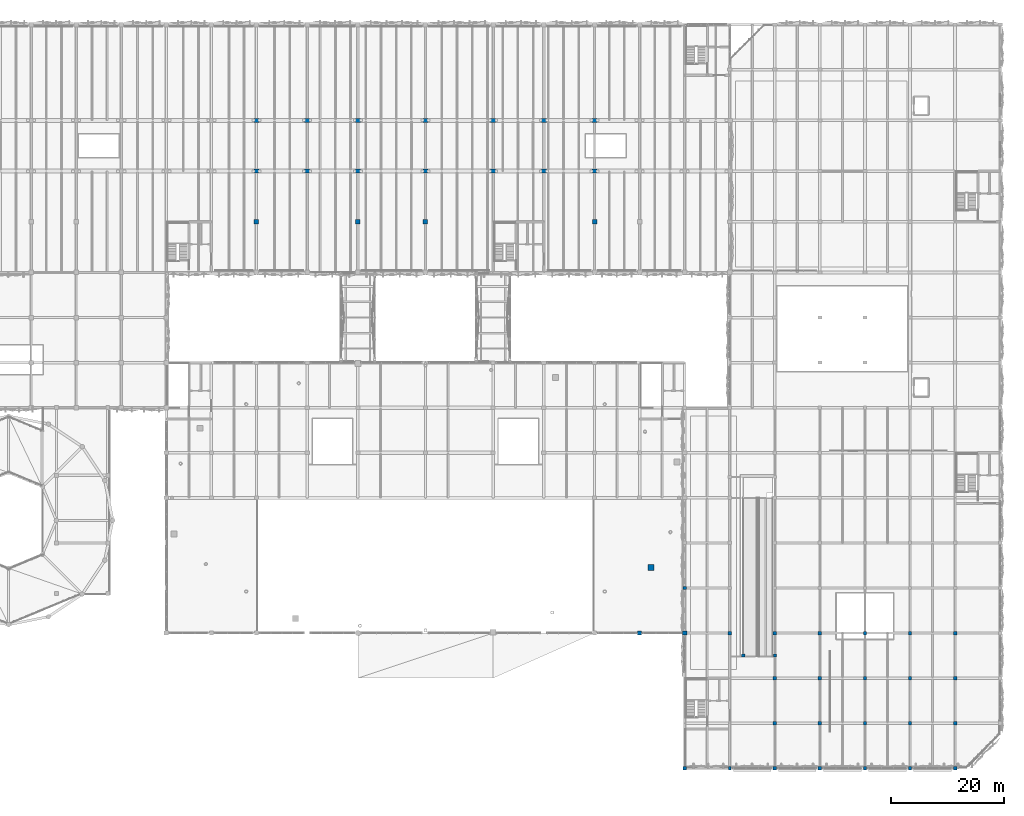
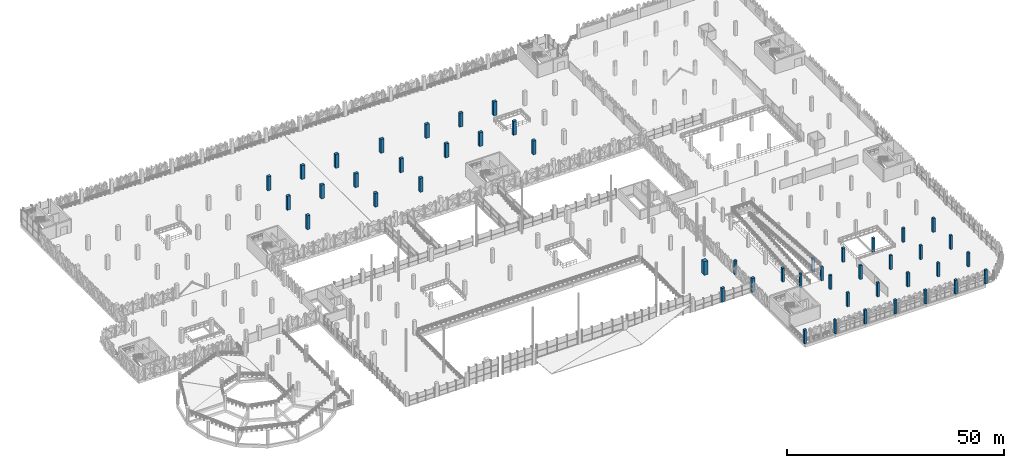
# One storey, part 12 of 123: 47 columns.
"""IFC4 building model written with IfcOpenShell, lengths in metres."""

from ifc_helpers import new_model, si_unit, derived_unit, direction, frame, origin, origin_2d, place, context, subcontext, project, spatial, rectangle, extrude, material, material_profile, profile_set, type_object, element, save


model = new_model("IFC4")

# Units and contexts
model_context = context("Model", 3, precision=1e-05, world=origin(), true_north=direction((0.0, 1.0)))
body_context = subcontext(model_context, "Body", "Model", "MODEL_VIEW")
ifc_project = project(units=[si_unit("LENGTHUNIT", "METRE"), si_unit("AREAUNIT", "SQUARE_METRE"), si_unit("VOLUMEUNIT", "CUBIC_METRE"), si_unit("PLANEANGLEUNIT", "RADIAN"), si_unit("MASSUNIT", "GRAM", prefix="KILO"), si_unit("THERMODYNAMICTEMPERATUREUNIT", "KELVIN"), derived_unit("THERMALTRANSMITTANCEUNIT", [(si_unit("POWERUNIT", "WATT"), 1), (si_unit("AREAUNIT", "SQUARE_METRE"), -1), (si_unit("THERMODYNAMICTEMPERATUREUNIT", "KELVIN"), -1)])], contexts=[model_context])

# Site, building, storey
site_placement = place(None, origin())
site = spatial("IfcSite", under=ifc_project, at=site_placement, CompositionType="ELEMENT")
building_placement = place(site_placement, origin())
building = spatial("IfcBuilding", under=site, at=building_placement, Name="Haiyu Intermodal Mobility Hub", CompositionType="ELEMENT")
storey_placement = place(building_placement, frame((0.0, 0.0, 5.60009765625)))
storey = spatial("IfcBuildingStorey", under=building, at=storey_placement, Name="L01", CompositionType="ELEMENT", Elevation=5.60009765625)

# Columns
ifc_material_1 = material(Name="Precast concrete C40", Category="concrete")
ifc_material_profile_1 = material_profile(ifc_material_1, rectangle(XDim=0.800048828125, YDim=0.800048828125, at=origin_2d()), Name="RC800x800")
ifc_profile_set_1 = profile_set([ifc_material_profile_1], Name="Precast concrete C40")
column_type_1 = type_object("IfcColumnType", Name="COL-CC02", PredefinedType="COLUMN", material=ifc_profile_set_1)
for number, where, z_axis, x_axis, name in (
    (1, (78.0, 113.0, 0.0), (0.0, 0.0, 1.0), (1.0, 0.0, 0.0), "Column V3S-9N L01"),
    (2, (96.0, 113.0, 0.0), (0.0, 0.0, 1.0), (1.0, 0.0, 0.0), "Column V3S-11N L01"),
    (3, (108.0, 113.0, 0.0), (0.0, 0.0, 1.0), (1.0, 0.0, 0.0), "Column V3S-12N L01"),
    (4, (138.0, 113.0, 0.0), (0.0, 0.0, 1.0), (1.0, 0.0, 0.0), "Column V3S-15N L01"),
):
    element("IfcColumn", number, at=place(storey_placement, frame(where, z_axis=z_axis, x_axis=x_axis)), inside=storey, type_object=column_type_1, Name=name, PredefinedType="COLUMN", context=body_context, shape_type="SweptSolid", body=[
        extrude(rectangle(XDim=0.800048828125, YDim=0.800048828125, at=origin_2d()), origin(), (0.0, 0.0, 1.0), 3.89990234375),
    ])
ifc_material_profile_2 = material_profile(ifc_material_1, rectangle(XDim=0.89990234375, YDim=0.699951171875, at=origin_2d()), Name="RC900x700")
ifc_profile_set_2 = profile_set([ifc_material_profile_2], Name="Precast concrete C40")
column_type_2 = type_object("IfcColumnType", Name="COL-CC04", PredefinedType="COLUMN", material=ifc_profile_set_2)
for number, where, z_axis, x_axis, name in (
    (5, (78.0, 122.0, 0.0), (0.0, 0.0, 1.0), (1.0, 0.0, 0.0), "Column V4-9P L01"),
    (6, (78.0, 131.0, 0.0), (0.0, 0.0, 1.0), (1.0, 0.0, 0.0), "Column V4-9Q L01"),
    (7, (87.0, 122.0, 0.0), (0.0, 0.0, 1.0), (1.0, 0.0, 0.0), "Column V4-10P L01"),
    (8, (87.0, 131.0, 0.0), (0.0, 0.0, 1.0), (1.0, 0.0, 0.0), "Column V4-10Q L01"),
    (9, (96.0, 122.0, 0.0), (0.0, 0.0, 1.0), (1.0, 0.0, 0.0), "Column V4-11P L01"),
    (10, (96.0, 131.0, 0.0), (0.0, 0.0, 1.0), (1.0, 0.0, 0.0), "Column V4-11Q L01"),
    (11, (108.0, 122.0, 0.0), (0.0, 0.0, 1.0), (1.0, 0.0, 0.0), "Column V4-12P L01"),
    (12, (108.0, 131.0, 0.0), (0.0, 0.0, 1.0), (1.0, 0.0, 0.0), "Column V4-12Q L01"),
    (13, (120.0, 122.0, 0.0), (0.0, 0.0, 1.0), (1.0, 0.0, 0.0), "Column V4-13P L01"),
    (14, (120.0, 131.0, 0.0), (0.0, 0.0, 1.0), (1.0, 0.0, 0.0), "Column V4-13Q L01"),
    (15, (129.0, 122.0, 0.0), (0.0, 0.0, 1.0), (1.0, 0.0, 0.0), "Column V4-14P L01"),
    (16, (129.0, 131.0, 0.0), (0.0, 0.0, 1.0), (1.0, 0.0, 0.0), "Column V4-14Q L01"),
    (17, (138.0, 122.0, 0.0), (0.0, 0.0, 1.0), (1.0, 0.0, 0.0), "Column V4-15P L01"),
    (18, (138.0, 131.0, 0.0), (0.0, 0.0, 1.0), (1.0, 0.0, 0.0), "Column V4-15Q L01"),
):
    element("IfcColumn", number, at=place(storey_placement, frame(where, z_axis=z_axis, x_axis=x_axis)), inside=storey, type_object=column_type_2, Name=name, PredefinedType="COLUMN", context=body_context, shape_type="SweptSolid", body=[
        extrude(rectangle(XDim=0.89990234375, YDim=0.699951171875, at=origin_2d()), origin(), (0.0, 0.0, 1.0), 3.89990234375),
    ])
ifc_material_2 = material(Name="Concrete C40", Category="concrete")
ifc_material_profile_3 = material_profile(ifc_material_2, rectangle(XDim=0.75, YDim=0.64990234375, at=origin_2d()), Name="RC750x650")
ifc_profile_set_3 = profile_set([ifc_material_profile_3], Name="Concrete C40")
column_type_3 = type_object("IfcColumnType", Name="COL-CC07-EXT", PredefinedType="COLUMN", material=ifc_profile_set_3)
for number, where, z_axis, x_axis, name in (
    (19, (146.0, 40.0, 0.0), (0.0, 0.0, 1.0), (1.0, 0.0, 0.0), "Column V1-16D L01"),
    (20, (154.0, 40.0, 0.0), (0.0, 0.0, 1.0), (1.0, 0.0, 0.0), "Column V1-17D L01"),
):
    element("IfcColumn", number, at=place(storey_placement, frame(where, z_axis=z_axis, x_axis=x_axis)), inside=storey, type_object=column_type_3, Name=name, PredefinedType="COLUMN", context=body_context, shape_type="SweptSolid", body=[
        extrude(rectangle(XDim=0.75, YDim=0.64990234375, at=origin_2d()), origin(), (0.0, 0.0, 1.0), 3.89990234375),
    ])
ifc_material_profile_4 = material_profile(ifc_material_2, rectangle(XDim=0.60009765625, YDim=0.60009765625, at=origin_2d()), Name="RC600x600")
ifc_profile_set_4 = profile_set([ifc_material_profile_4], Name="Concrete C40")
column_type_4 = type_object("IfcColumnType", Name="COL-CC10", PredefinedType="COLUMN", material=ifc_profile_set_4)
for number, where, z_axis, x_axis, name in (
    (21, (170.0, 24.0, 0.0), (0.0, 0.0, 1.0), (1.0, 0.0, 0.0), "Column V5-19B L01"),
    (22, (170.0, 32.0, 0.0), (0.0, 0.0, 1.0), (1.0, 0.0, 0.0), "Column V5-19C L01"),
    (23, (170.0, 40.0, 0.0), (0.0, 0.0, 1.0), (1.0, 0.0, 0.0), "Column V5-19D L01"),
    (24, (178.0, 24.0, 0.0), (0.0, 0.0, 1.0), (1.0, 0.0, 0.0), "Column V5-20B L01"),
    (25, (178.0, 32.0, 0.0), (0.0, 0.0, 1.0), (1.0, 0.0, 0.0), "Column V5-20C L01"),
    (26, (178.0, 40.0, 0.0), (0.0, 0.0, 1.0), (1.0, 0.0, 0.0), "Column V5-20D L01"),
    (27, (186.0, 24.0, 0.0), (0.0, 0.0, 1.0), (1.0, 0.0, 0.0), "Column V5-21B L01"),
    (28, (186.0, 32.0, 0.0), (0.0, 0.0, 1.0), (1.0, 0.0, 0.0), "Column V5-21C L01"),
    (29, (186.0, 40.0, 0.0), (0.0, 0.0, 1.0), (1.0, 0.0, 0.0), "Column V5-21D L01"),
    (30, (194.0, 24.0, 0.0), (0.0, 0.0, 1.0), (1.0, 0.0, 0.0), "Column V5-22B L01"),
    (31, (194.0, 32.0, 0.0), (0.0, 0.0, 1.0), (1.0, 0.0, 0.0), "Column V5-22C L01"),
    (32, (194.0, 40.0, 0.0), (0.0, 0.0, 1.0), (1.0, 0.0, 0.0), "Column V5-22D L01"),
    (33, (202.0, 24.0, 0.0), (0.0, 0.0, 1.0), (1.0, 0.0, 0.0), "Column V5-23B L01"),
    (34, (202.0, 32.0, 0.0), (0.0, 0.0, 1.0), (1.0, 0.0, 0.0), "Column V5-23C L01"),
    (35, (202.0, 40.0, 0.0), (0.0, 0.0, 1.0), (1.0, 0.0, 0.0), "Column V5-23D L01"),
):
    element("IfcColumn", number, at=place(storey_placement, frame(where, z_axis=z_axis, x_axis=x_axis)), inside=storey, type_object=column_type_4, Name=name, PredefinedType="COLUMN", context=body_context, shape_type="SweptSolid", body=[
        extrude(rectangle(XDim=0.60009765625, YDim=0.60009765625, at=origin_2d()), origin(), (0.0, 0.0, 1.0), 3.89990234375),
    ])
ifc_material_profile_5 = material_profile(ifc_material_2, rectangle(XDim=0.60009765625, YDim=0.60009765625, at=origin_2d()), Name="RC600x600")
ifc_profile_set_5 = profile_set([ifc_material_profile_5], Name="Concrete C40")
column_type_5 = type_object("IfcColumnType", Name="COL-CC10-EXT", PredefinedType="COLUMN", material=ifc_profile_set_5)
for number, where, z_axis, x_axis, name in (
    (36, (154.0, 16.0, 0.0), (0.0, 0.0, 1.0), (1.0, 0.0, 0.0), "Column V5-17A L01"),
    (37, (154.0, 48.0, 0.0), (0.0, 0.0, 1.0), (1.0, 0.0, 0.0), "Column V5-17E L01"),
    (38, (162.0, 40.0, 0.0), (0.0, 0.0, 1.0), (1.0, 0.0, 0.0), "Column V5-18D L01"),
    (39, (170.0, 16.0, 0.0), (0.0, 0.0, 1.0), (1.0, 0.0, 0.0), "Column V5-19A L01"),
    (40, (178.0, 16.0, 0.0), (0.0, 0.0, 1.0), (1.0, 0.0, 0.0), "Column V5-20A L01"),
    (41, (186.0, 16.0, 0.0), (0.0, 0.0, 1.0), (1.0, 0.0, 0.0), "Column V5-21A L01"),
    (42, (194.0, 16.0, 0.0), (0.0, 0.0, 1.0), (1.0, 0.0, 0.0), "Column V5-22A L01"),
    (43, (202.0, 16.0, 0.0), (0.0, 0.0, 1.0), (1.0, 0.0, 0.0), "Column V5-23A L01"),
):
    element("IfcColumn", number, at=place(storey_placement, frame(where, z_axis=z_axis, x_axis=x_axis)), inside=storey, type_object=column_type_5, Name=name, PredefinedType="COLUMN", context=body_context, shape_type="SweptSolid", body=[
        extrude(rectangle(XDim=0.60009765625, YDim=0.60009765625, at=origin_2d()), origin(), (0.0, 0.0, 1.0), 3.89990234375),
    ])
ifc_material_profile_6 = material_profile(ifc_material_2, rectangle(XDim=0.550048828125, YDim=0.550048828125, at=origin_2d()), Name="RC550x550")
ifc_profile_set_6 = profile_set([ifc_material_profile_6], Name="Concrete C40")
column_type_6 = type_object("IfcColumnType", Name="COL-CC11", PredefinedType="COLUMN", material=ifc_profile_set_6)
for number, where, z_axis, x_axis, name in (
    (44, (164.39990234375, 36.0, 0.0), (0.0, 0.0, 1.0), (1.0, 0.0, 0.0), "Column BRMP-1 L01"),
    (45, (170.0, 36.0, 0.0), (0.0, 0.0, 1.0), (1.0, 0.0, 0.0), "Column BRMP-2 L01"),
):
    element("IfcColumn", number, at=place(storey_placement, frame(where, z_axis=z_axis, x_axis=x_axis)), inside=storey, type_object=column_type_6, Name=name, PredefinedType="COLUMN", context=body_context, shape_type="SweptSolid", body=[
        extrude(rectangle(XDim=0.550048828125, YDim=0.550048828125, at=origin_2d()), origin(), (0.0, 0.0, 1.0), 3.89990234375),
    ])
ifc_material_profile_7 = material_profile(ifc_material_2, rectangle(XDim=1.050048828125, YDim=1.050048828125, at=origin_2d()), Name="RC1050x1050")
ifc_profile_set_7 = profile_set([ifc_material_profile_7], Name="Concrete C40")
column_type_7 = type_object("IfcColumnType", Name="COL-CC12-EXT", PredefinedType="COLUMN", material=ifc_profile_set_7)
column_1_placement = place(storey_placement, frame((148.010009765625, 51.64990234375, 0.0), z_axis=(0.0, 0.0, 1.0), x_axis=(1.0, 0.0, 0.0)))
element("IfcColumn", 46, at=column_1_placement, inside=storey, type_object=column_type_7, Name="Column MP-08 L01", PredefinedType="COLUMN", context=body_context, shape_type="SweptSolid", body=[
    extrude(rectangle(XDim=1.050048828125, YDim=1.050048828125, at=origin_2d()), origin(), (0.0, 0.0, 1.0), 3.8349609375),
])
ifc_material_profile_8 = material_profile(ifc_material_2, rectangle(XDim=0.449951171875, YDim=0.64990234375, at=origin_2d()), Name="C450x650")
ifc_profile_set_8 = profile_set([ifc_material_profile_8], Name="Concrete C40")
column_type_8 = type_object("IfcColumnType", Name="COL-PL13-EXT", PredefinedType="PILASTER", material=ifc_profile_set_8)
column_2_placement = place(storey_placement, frame((162.0, 16.0, 0.0), z_axis=(0.0, 0.0, 1.0), x_axis=(1.0, 0.0, 0.0)))
element("IfcColumn", 47, at=column_2_placement, inside=storey, type_object=column_type_8, Name="Column V5-18A L01", PredefinedType="PILASTER", context=body_context, shape_type="SweptSolid", body=[
    extrude(rectangle(XDim=0.449951171875, YDim=0.64990234375, at=origin_2d()), origin(), (0.0, 0.0, 1.0), 3.89990234375),
])

save(model, "model.ifc")
